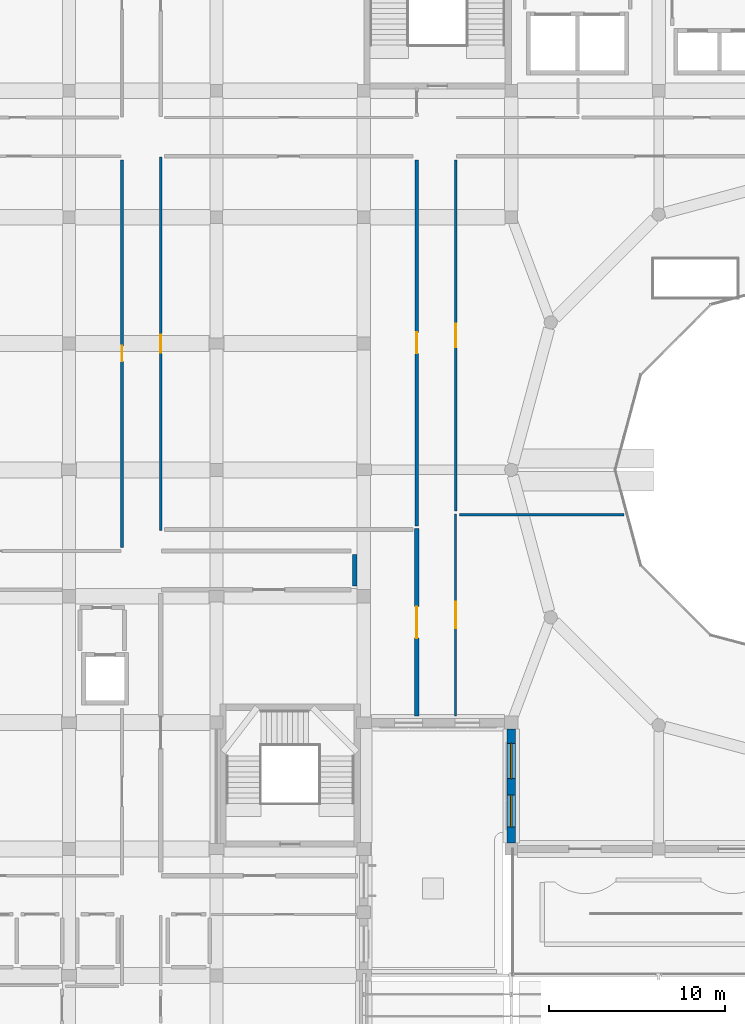
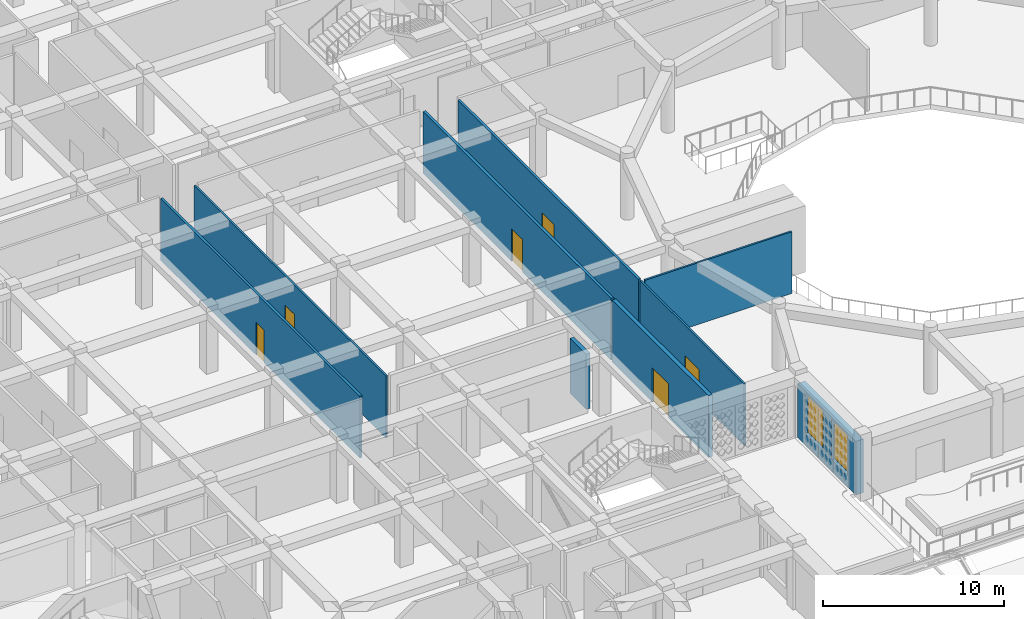
# One storey, part 57 of 100: 9 walls, 6 doors, 2 windows, 8 openings.
"""IFC4 building model written with IfcOpenShell, lengths in metres."""

import ifcopenshell
import ifcopenshell.guid

model = None  # the IFC model being written
_history = None  # IfcOwnerHistory: only IFC2X3 demands one
_inside = {}  # id of a spatial element -> (the spatial element, [elements in it])
_under = {}  # id of a project, library or spatial element -> (it, [spatial elements below it])
_declared = {}  # id of a project -> (the project, [libraries it declares])
_typed = {}  # id of a type object -> (the type object, [elements of that type])
_made_of = {}  # id of a material, layer set ... -> (it, [elements and type objects made of it])


def new_model(schema):
    """Start an empty IFC model of exactly this schema.

    Asked for "IFC4X3", IfcOpenShell would pick the latest addendum, in which some entities
    have other attributes; the version numbers below select the first issue.
    IFC2X3 requires an IfcOwnerHistory on every rooted entity: one is made here for all.
    """
    global model, _history
    if schema == "IFC4X3":
        model = ifcopenshell.file(schema_version=(4, 3, 0, 0))
    else:
        model = ifcopenshell.file(schema=schema)
    _inside.clear()
    _under.clear()
    _declared.clear()
    _typed.clear()
    _made_of.clear()
    _history = None
    if model.schema == "IFC2X3":
        org = make("IfcOrganization", Name="unknown")
        user = make(
            "IfcPersonAndOrganization",
            ThePerson=make("IfcPerson", FamilyName="unknown"),
            TheOrganization=org,
        )
        app = make(
            "IfcApplication",
            ApplicationDeveloper=org,
            Version="unknown",
            ApplicationFullName="unknown",
            ApplicationIdentifier="unknown",
        )
        _history = make(
            "IfcOwnerHistory",
            OwningUser=user,
            OwningApplication=app,
            ChangeAction="ADDED",
            CreationDate=0,
        )
    return model


def make(cls, **values):
    """One entity of the class cls with the attributes given. An attribute that is None is left unset."""
    return model.create_entity(
        cls, **{name: value for name, value in values.items() if value is not None}
    )


def rooted(cls, **values):
    """An entity with a GlobalId (a new one), such as an element, a storey or a relation."""
    return make(cls, GlobalId=ifcopenshell.guid.new(), OwnerHistory=_history, **values)


def si_unit(unit_type, name, prefix=None):
    """IfcSIUnit, for example si_unit("LENGTHUNIT", "METRE", prefix="MILLI")."""
    return make("IfcSIUnit", UnitType=unit_type, Prefix=prefix, Name=name)


def derived_unit(unit_type, elements):
    """IfcDerivedUnit: a product of units, each with its exponent."""
    return make(
        "IfcDerivedUnit",
        Elements=[
            make("IfcDerivedUnitElement", Unit=unit, Exponent=power)
            for unit, power in elements
        ],
        UnitType=unit_type,
    )


def assignment(units):
    """IfcUnitAssignment: the units of a project."""
    return None if units is None else make("IfcUnitAssignment", Units=units)


def point(xyz):
    """IfcCartesianPoint."""
    return None if xyz is None else make("IfcCartesianPoint", Coordinates=xyz)


def direction(xyz):
    """IfcDirection."""
    return None if xyz is None else make("IfcDirection", DirectionRatios=xyz)


def frame(location, z_axis=None, x_axis=None):
    """IfcAxis2Placement3D, a coordinate frame: its origin and axes. An axis left out is left unset."""
    return make(
        "IfcAxis2Placement3D",
        Location=point(location),
        Axis=direction(z_axis),
        RefDirection=direction(x_axis),
    )


def frame_2d(location, x_axis=None):
    """IfcAxis2Placement2D, a coordinate frame in the plane: its origin and x axis."""
    return make(
        "IfcAxis2Placement2D", Location=point(location), RefDirection=direction(x_axis)
    )


def origin():
    """The frame at (0, 0, 0) with its axes left unset."""
    return frame((0.0, 0.0, 0.0))


def place(relative_to, where):
    """IfcLocalPlacement: puts the frame where relative to a parent placement (None: the world)."""
    return make(
        "IfcLocalPlacement", PlacementRelTo=relative_to, RelativePlacement=where
    )


def context(
    kind, dimensions, precision=None, world=None, true_north=None, identifier=None
):
    """IfcGeometricRepresentationContext, for example the 3D "Model" context."""
    return make(
        "IfcGeometricRepresentationContext",
        ContextIdentifier=identifier,
        ContextType=kind,
        CoordinateSpaceDimension=dimensions,
        Precision=precision,
        WorldCoordinateSystem=world,
        TrueNorth=true_north,
    )


def subcontext(parent, identifier, kind, view, scale=None):
    """IfcGeometricRepresentationSubContext, for example "Body" below "Model"."""
    return make(
        "IfcGeometricRepresentationSubContext",
        ContextIdentifier=identifier,
        ContextType=kind,
        ParentContext=parent,
        TargetScale=scale,
        TargetView=view,
    )


def project(units=None, contexts=None):
    """IfcProject with its units and contexts."""
    return rooted(
        "IfcProject",
        Name="project",
        RepresentationContexts=contexts,
        UnitsInContext=assignment(units),
    )


def spatial(cls, under=None, at=None, **own):
    """A site, building, storey or space (cls), placed at a placement, below another one or the project."""
    s = rooted(cls, ObjectPlacement=at, **own)
    if under is not None:
        _under.setdefault(under.id(), (under, []))[1].append(s)
    return s


def profile(cls, at=None, kind="AREA", **sizes):
    """A parametric profile (cls). Its sizes go by their IFC names, for example OverallWidth=200.0."""
    return make(cls, ProfileType=kind, Position=at, **sizes)


def rectangle(**sizes):
    """IfcRectangleProfileDef."""
    return profile("IfcRectangleProfileDef", **sizes)


def extrude(swept, where, along, depth):
    """IfcExtrudedAreaSolid: the profile swept, set in the frame where, extruded along a direction by depth."""
    return make(
        "IfcExtrudedAreaSolid",
        SweptArea=swept,
        Position=where,
        ExtrudedDirection=direction(along),
        Depth=depth,
    )


def shape(context_of_items, identifier, shape_type, items):
    """IfcShapeRepresentation: the items that make up one representation, for example the "Body"."""
    return make(
        "IfcShapeRepresentation",
        ContextOfItems=context_of_items,
        RepresentationIdentifier=identifier,
        RepresentationType=shape_type,
        Items=items,
    )


def material(Name=None, Category=None):
    """IfcMaterial."""
    return make("IfcMaterial", Name=Name, Category=Category)


def layer(
    of_material, thickness, ventilated=None, Name=None, Category=None, Priority=None
):
    """IfcMaterialLayer: one layer of a wall or slab, of a material (None: an air gap)."""
    return make(
        "IfcMaterialLayer",
        Material=of_material,
        LayerThickness=thickness,
        IsVentilated=ventilated,
        Name=Name,
        Category=Category,
        Priority=Priority,
    )


def layer_set(layers, Name=None):
    """IfcMaterialLayerSet."""
    return make("IfcMaterialLayerSet", MaterialLayers=layers, LayerSetName=Name)


def made_of(thing, what):
    """Note that an element or type object is made of a material, layer set ...; save() writes the relation."""
    if what is not None:
        _made_of.setdefault(what.id(), (what, []))[1].append(thing)
    return thing


def type_object(cls, material=None, **own):
    """A type object (cls), such as IfcWallType, which elements share."""
    return made_of(rooted(cls, **own), material)


def element(
    cls,
    number,
    at=None,
    inside=None,
    cuts=None,
    type_object=None,
    material=None,
    context=None,
    identifier="Body",
    shape_type=None,
    held_by="IfcProductDefinitionShape",
    body=None,
    shapes=None,
    **own,
):
    """One element of the class cls, such as IfcWall. Its Tag is "e" and its number.

    at: its placement. inside: the storey or other place that contains it. cuts: it is an
    opening in that element (IfcRelVoidsElement). A single representation is given by context,
    identifier, shape_type and body (its items); several are given by shapes. held_by: the class
    of the entity that holds the representations. save() writes the other relations.
    """
    e = rooted(cls, Tag="e%d" % number, ObjectPlacement=at, **own)
    if body is not None:
        shapes = [shape(context, identifier, shape_type, body)]
    if shapes is not None:
        e.Representation = make(held_by, Representations=shapes)
    if inside is not None:
        _inside.setdefault(inside.id(), (inside, []))[1].append(e)
    if cuts is not None:
        rooted(
            "IfcRelVoidsElement", RelatingBuildingElement=cuts, RelatedOpeningElement=e
        )
    if type_object is not None:
        _typed.setdefault(type_object.id(), (type_object, []))[1].append(e)
    return made_of(e, material)


def fill(opening, filler):
    """IfcRelFillsElement: the door or window that sits in an opening."""
    return rooted(
        "IfcRelFillsElement",
        RelatingOpeningElement=opening,
        RelatedBuildingElement=filler,
    )


def aggregate(whole, parts):
    """IfcRelAggregates: a whole, such as a stair, and the parts it consists of."""
    return rooted("IfcRelAggregates", RelatingObject=whole, RelatedObjects=parts)


def save(model, path):
    """Write the relations noted so far, then the file.

    IfcRelAggregates (storeys below a building ...), IfcRelContainedInSpatialStructure (elements
    in a storey), IfcRelDefinesByType, IfcRelAssociatesMaterial and IfcRelDeclares: one each for
    every whole, place, type object, material and project.
    """
    for whole, parts in _under.values():
        aggregate(whole, parts)
    for where, things in _inside.values():
        rooted(
            "IfcRelContainedInSpatialStructure",
            RelatedElements=things,
            RelatingStructure=where,
        )
    for kind, things in _typed.values():
        rooted("IfcRelDefinesByType", RelatedObjects=things, RelatingType=kind)
    for what, things in _made_of.values():
        rooted("IfcRelAssociatesMaterial", RelatedObjects=things, RelatingMaterial=what)
    for by, libraries in _declared.values():
        rooted("IfcRelDeclares", RelatingContext=by, RelatedDefinitions=libraries)
    model.write(path)


model = new_model("IFC4")

# Units and contexts
model_context = context("Model", 3, precision=1e-05, world=origin(), true_north=direction((0.0, 1.0)))
body_context = subcontext(model_context, "Body", "Model", "MODEL_VIEW")
ifc_project = project(units=[si_unit("LENGTHUNIT", "METRE"), si_unit("AREAUNIT", "SQUARE_METRE"), si_unit("VOLUMEUNIT", "CUBIC_METRE"), si_unit("PLANEANGLEUNIT", "RADIAN"), si_unit("MASSUNIT", "GRAM", prefix="KILO"), derived_unit("THERMALTRANSMITTANCEUNIT", [(si_unit("POWERUNIT", "WATT"), 1), (si_unit("LENGTHUNIT", "METRE"), -2), (si_unit("THERMODYNAMICTEMPERATUREUNIT", "KELVIN"), -1)])], contexts=[model_context])

# Site, building, storey
site_placement = place(None, origin())
site = spatial("IfcSite", under=ifc_project, at=site_placement, CompositionType="ELEMENT")
building_placement = place(site_placement, origin())
building = spatial("IfcBuilding", under=site, at=building_placement, Name="Veybourne Emporium", CompositionType="ELEMENT")
storey_placement = place(building_placement, frame((0.0, 0.0, 14.39990234375)))
storey = spatial("IfcBuildingStorey", under=building, at=storey_placement, Name="L03", CompositionType="ELEMENT", Elevation=14.39990234375)

# Wall, openings, windows
ifc_material_1 = material(Name="Portland Limestone Ashlar", Category="masonry")
ifc_layer_1 = layer(ifc_material_1, 0.47998046875)
ifc_layer_set_1 = layer_set([ifc_layer_1], Name="Portland Limestone Ashlar")
wall_type_1 = type_object("IfcWallType", Name="ExtWall_EW-01", PredefinedType="SOLIDWALL", material=ifc_layer_set_1)
wall_1_placement = place(storey_placement, frame((58.800048828125, 29.14990234375, 0.0), z_axis=(0.0, 0.0, 1.0), x_axis=(0.0, 1.0, 0.0)))
wall_1 = element("IfcWall", 1, at=wall_1_placement, inside=storey, type_object=wall_type_1, Name="L03 Portland stone external wall 035", PredefinedType="SOLIDWALL", context=body_context, shape_type="SweptSolid", body=[
    extrude(rectangle(XDim=6.47509765625, YDim=0.47998046875, at=frame_2d((3.237548828125, 0.0))), origin(), (0.0, 0.0, 1.0), 3.630126953125),
])
opening_1_placement = place(wall_1_placement, frame((0.9130859375, 0.0, 0.75)))
opening_1 = element("IfcOpeningElement", 2, at=opening_1_placement, cuts=wall_1, Name="Opening W-44", PredefinedType="OPENING", context=body_context, shape_type="SweptSolid", body=[
    extrude(rectangle(XDim=1.800048828125, YDim=2.72998046875, at=frame_2d((0.89990234375, 1.364990234375))), frame((0.0, 0.260009765625, 0.0), z_axis=(0.0, -1.0, 0.0), x_axis=(1.0, 0.0, 0.0)), (0.0, 0.0, 1.0), 0.52001953125),
])
opening_2_placement = place(wall_1_placement, frame((3.662109375, 0.0, 0.75)))
opening_2 = element("IfcOpeningElement", 3, at=opening_2_placement, cuts=wall_1, Name="Opening W-45", PredefinedType="OPENING", context=body_context, shape_type="SweptSolid", body=[
    extrude(rectangle(XDim=2.0, YDim=2.72998046875, at=frame_2d((1.0, 1.364990234375))), frame((0.0, 0.260009765625, 0.0), z_axis=(0.0, -1.0, 0.0), x_axis=(1.0, 0.0, 0.0)), (0.0, 0.0, 1.0), 0.52001953125),
])
ifc_material_2 = material(Name="Low-E Triple Glazing", Category="glass")
window_type_1 = type_object("IfcWindowType", Name="Win_W-44", PartitioningType="DOUBLE_PANEL_VERTICAL", PredefinedType="WINDOW", material=ifc_material_2)
window_1_placement = place(opening_1_placement, origin())
window_1 = element("IfcWindow", 4, at=window_1_placement, inside=storey, type_object=window_type_1, Name="L03 tripartite bronze casement window W-44 (35.1)", OverallHeight=2.72998046875, OverallWidth=1.800048828125, PartitioningType="DOUBLE_PANEL_VERTICAL", PredefinedType="WINDOW", context=body_context, shape_type="SweptSolid", body=[
    extrude(rectangle(XDim=1.800048828125, YDim=2.72998046875, at=frame_2d((0.89990234375, 1.364990234375))), frame((0.0, 0.030029296875, 0.0), z_axis=(0.0, -1.0, 0.0), x_axis=(1.0, 0.0, 0.0)), (0.0, 0.0, 1.0), 0.06005859375),
])
fill(opening_1, window_1)
window_type_2 = type_object("IfcWindowType", Name="Win_W-45", PartitioningType="TRIPLE_PANEL_VERTICAL", PredefinedType="WINDOW", material=ifc_material_2)
window_2_placement = place(opening_2_placement, origin())
window_2 = element("IfcWindow", 5, at=window_2_placement, inside=storey, type_object=window_type_2, Name="L03 tripartite bronze casement window W-45 (35.2)", OverallHeight=2.72998046875, OverallWidth=2.0, PartitioningType="TRIPLE_PANEL_VERTICAL", PredefinedType="WINDOW", context=body_context, shape_type="SweptSolid", body=[
    extrude(rectangle(XDim=2.0, YDim=2.72998046875, at=frame_2d((1.0, 1.364990234375))), frame((0.0, 0.030029296875, 0.0), z_axis=(0.0, -1.0, 0.0), x_axis=(1.0, 0.0, 0.0)), (0.0, 0.0, 1.0), 0.06005859375),
])
fill(opening_2, window_2)

# Wall, opening, door
ifc_material_3 = material(Name="Concrete C32/40", Category="concrete")
ifc_layer_2 = layer(ifc_material_3, 0.25)
ifc_layer_set_2 = layer_set([ifc_layer_2], Name="Concrete C32/40")
wall_type_2 = type_object("IfcWallType", Name="IntWall_FW-01", PredefinedType="SOLIDWALL", material=ifc_layer_set_2)
wall_2_placement = place(storey_placement, frame((53.419921875, 36.3701171875, 0.0), z_axis=(0.0, 0.0, 1.0), x_axis=(0.0, 1.0, 0.0)))
wall_2 = element("IfcWall", 6, at=wall_2_placement, inside=storey, type_object=wall_type_2, Name="L03 interior partition FW-01 #053", PredefinedType="SOLIDWALL", context=body_context, shape_type="SweptSolid", body=[
    extrude(rectangle(XDim=10.684814453125, YDim=0.25, at=frame_2d((5.34228515625, 0.0))), origin(), (0.0, 0.0, 1.0), 4.18017578125),
])
opening_3_placement = place(wall_2_placement, frame((4.4423828125, 0.0, 0.0)))
opening_3 = element("IfcOpeningElement", 7, at=opening_3_placement, cuts=wall_2, Name="Opening FD-03", PredefinedType="OPENING", context=body_context, shape_type="SweptSolid", body=[
    extrude(rectangle(XDim=1.800048828125, YDim=2.300048828125, at=frame_2d((0.89990234375, 1.14990234375))), frame((0.0, 0.14501953125, 0.0), z_axis=(0.0, -1.0, 0.0), x_axis=(1.0, 0.0, 0.0)), (0.0, 0.0, 1.0), 0.2900390625),
])
ifc_material_4 = material(Name="Patinated Architectural Bronze", Category="bronze")
door_type_1 = type_object("IfcDoorType", Name="FireDoor_FD-03", OperationType="DOUBLE_DOOR_SINGLE_SWING", PredefinedType="DOOR", material=ifc_material_4)
door_1_placement = place(opening_3_placement, origin())
door_1 = element("IfcDoor", 8, at=door_1_placement, inside=storey, type_object=door_type_1, Name="L03 interior door FD-03 (PART-L03-053)", OperationType="DOUBLE_DOOR_SINGLE_SWING", OverallHeight=2.300048828125, OverallWidth=1.800048828125, PredefinedType="DOOR", context=body_context, shape_type="SweptSolid", body=[
    extrude(rectangle(XDim=1.800048828125, YDim=2.300048828125, at=frame_2d((0.89990234375, 1.14990234375))), frame((0.0, 0.02490234375, 0.0), z_axis=(0.0, -1.0, 0.0), x_axis=(1.0, 0.0, 0.0)), (0.0, 0.0, 1.0), 0.050048828125),
])
fill(opening_3, door_1)

# Wall
wall_3_placement = place(storey_placement, frame((49.8798828125, 43.780029296875, 0.0), z_axis=(0.0, 0.0, 1.0), x_axis=(0.0, 1.0, 0.0)))
element("IfcWall", 9, at=wall_3_placement, inside=storey, type_object=wall_type_2, Name="L03 interior partition FW-01 #112", PredefinedType="SOLIDWALL", context=body_context, shape_type="SweptSolid", body=[
    extrude(rectangle(XDim=1.7900390625, YDim=0.25, at=frame_2d((0.89501953125, 0.0))), origin(), (0.0, 0.0, 1.0), 3.72998046875),
])

# Wall, opening, door
ifc_material_5 = material(Name="Gypsum Acoustic Board", Category="gypsum")
ifc_layer_3 = layer(ifc_material_5, 0.179931640625)
ifc_layer_set_3 = layer_set([ifc_layer_3], Name="Gypsum Acoustic Board")
wall_type_3 = type_object("IfcWallType", Name="IntWall_IW-01", PredefinedType="PARTITIONING", material=ifc_layer_set_3)
wall_4_placement = place(storey_placement, frame((53.419921875, 47.215087890625, 0.0), z_axis=(0.0, 0.0, 1.0), x_axis=(0.0, 1.0, 0.0)))
wall_4 = element("IfcWall", 10, at=wall_4_placement, inside=storey, type_object=wall_type_3, Name="L03 interior partition IW-01 #005", PredefinedType="PARTITIONING", context=body_context, shape_type="SweptSolid", body=[
    extrude(rectangle(XDim=20.844970703125, YDim=0.179931640625, at=frame_2d((10.42236328125, 0.0))), origin(), (0.0, 0.0, 1.0), 4.18017578125),
])
opening_4_placement = place(wall_4_placement, frame((9.822509765625, 0.0, 0.0)))
opening_4 = element("IfcOpeningElement", 11, at=opening_4_placement, cuts=wall_4, Name="Opening D-15", PredefinedType="OPENING", context=body_context, shape_type="SweptSolid", body=[
    extrude(rectangle(XDim=1.199951171875, YDim=2.2099609375, at=frame_2d((0.60009765625, 1.10498046875))), frame((0.0, 0.10986328125, 0.0), z_axis=(0.0, -1.0, 0.0), x_axis=(1.0, 0.0, 0.0)), (0.0, 0.0, 1.0), 0.219970703125),
])
ifc_material_6 = material(Name="European Oak Veneer and Bronze", Category="wood")
door_type_2 = type_object("IfcDoorType", Name="IntDoor_D-15", OperationType="NOTDEFINED", PredefinedType="DOOR", material=ifc_material_6)
door_2_placement = place(opening_4_placement, origin())
door_2 = element("IfcDoor", 12, at=door_2_placement, inside=storey, type_object=door_type_2, Name="L03 interior door D-15 (PART-L03-005)", OperationType="SINGLE_SWING_LEFT", OverallHeight=2.2099609375, OverallWidth=1.199951171875, PredefinedType="DOOR", context=body_context, shape_type="SweptSolid", body=[
    extrude(rectangle(XDim=1.199951171875, YDim=2.2099609375, at=frame_2d((0.60009765625, 1.10498046875))), frame((0.0, 0.02490234375, 0.0), z_axis=(0.0, -1.0, 0.0), x_axis=(1.0, 0.0, 0.0)), (0.0, 0.0, 1.0), 0.050048828125),
])
fill(opening_4, door_2)

ifc_layer_4 = layer(ifc_material_5, 0.14990234375)
ifc_layer_set_4 = layer_set([ifc_layer_4], Name="Gypsum Acoustic Board")
wall_type_4 = type_object("IfcWallType", Name="IntWall_IW-02", PredefinedType="PARTITIONING", material=ifc_layer_set_4)
wall_5_placement = place(storey_placement, frame((36.6201171875, 45.989990234375, 0.0), z_axis=(0.0, 0.0, 1.0), x_axis=(0.0, 1.0, 0.0)))
wall_5 = element("IfcWall", 13, at=wall_5_placement, inside=storey, type_object=wall_type_4, Name="L03 interior partition IW-02 #003", PredefinedType="PARTITIONING", context=body_context, shape_type="SweptSolid", body=[
    extrude(rectangle(XDim=22.070068359375, YDim=0.14990234375, at=frame_2d((11.03515625, 0.0))), origin(), (0.0, 0.0, 1.0), 4.18017578125),
])
opening_5_placement = place(wall_5_placement, frame((10.594970703125, 0.0, 0.0)))
opening_5 = element("IfcOpeningElement", 14, at=opening_5_placement, cuts=wall_5, Name="Opening D-13", PredefinedType="OPENING", context=body_context, shape_type="SweptSolid", body=[
    extrude(rectangle(XDim=0.8798828125, YDim=2.2099609375, at=frame_2d((0.43994140625, 1.10498046875))), frame((0.0, 0.094970703125, 0.0), z_axis=(0.0, -1.0, 0.0), x_axis=(1.0, 0.0, 0.0)), (0.0, 0.0, 1.0), 0.18994140625),
])
door_type_3 = type_object("IfcDoorType", Name="IntDoor_D-13", OperationType="NOTDEFINED", PredefinedType="DOOR", material=ifc_material_6)
door_3_placement = place(opening_5_placement, origin())
door_3 = element("IfcDoor", 15, at=door_3_placement, inside=storey, type_object=door_type_3, Name="L03 interior door D-13 (PART-L03-003)", OperationType="SINGLE_SWING_LEFT", OverallHeight=2.2099609375, OverallWidth=0.8798828125, PredefinedType="DOOR", context=body_context, shape_type="SweptSolid", body=[
    extrude(rectangle(XDim=0.8798828125, YDim=2.2099609375, at=frame_2d((0.43994140625, 1.10498046875))), frame((0.0, 0.02490234375, 0.0), z_axis=(0.0, -1.0, 0.0), x_axis=(1.0, 0.0, 0.0)), (0.0, 0.0, 1.0), 0.050048828125),
])
fill(opening_5, door_3)

wall_6_placement = place(storey_placement, frame((55.6298828125, 48.054931640625, 0.0), z_axis=(0.0, 0.0, 1.0), x_axis=(0.0, 1.0, 0.0)))
wall_6 = element("IfcWall", 16, at=wall_6_placement, inside=storey, type_object=wall_type_4, Name="L03 interior partition IW-02 #006", PredefinedType="PARTITIONING", context=body_context, shape_type="SweptSolid", body=[
    extrude(rectangle(XDim=20.005126953125, YDim=0.14990234375, at=frame_2d((10.00244140625, 0.0))), origin(), (0.0, 0.0, 1.0), 4.18017578125),
])
opening_6_placement = place(wall_6_placement, frame((9.322509765625, 0.0, 0.0)))
opening_6 = element("IfcOpeningElement", 17, at=opening_6_placement, cuts=wall_6, Name="Opening D-16", PredefinedType="OPENING", context=body_context, shape_type="SweptSolid", body=[
    extrude(rectangle(XDim=1.360107421875, YDim=2.2099609375, at=frame_2d((0.68017578125, 1.10498046875))), frame((0.0, 0.094970703125, 0.0), z_axis=(0.0, -1.0, 0.0), x_axis=(1.0, 0.0, 0.0)), (0.0, 0.0, 1.0), 0.18994140625),
])
door_type_4 = type_object("IfcDoorType", Name="IntDoor_D-16", OperationType="NOTDEFINED", PredefinedType="DOOR", material=ifc_material_6)
door_4_placement = place(opening_6_placement, origin())
door_4 = element("IfcDoor", 18, at=door_4_placement, inside=storey, type_object=door_type_4, Name="L03 interior door D-16 (PART-L03-006)", OperationType="SINGLE_SWING_RIGHT", OverallHeight=2.2099609375, OverallWidth=1.360107421875, PredefinedType="DOOR", context=body_context, shape_type="SweptSolid", body=[
    extrude(rectangle(XDim=1.360107421875, YDim=2.2099609375, at=frame_2d((0.68017578125, 1.10498046875))), frame((0.0, 0.02490234375, 0.0), z_axis=(0.0, -1.0, 0.0), x_axis=(1.0, 0.0, 0.0)), (0.0, 0.0, 1.0), 0.050048828125),
])
fill(opening_6, door_4)

ifc_layer_5 = layer(ifc_material_5, 0.1201171875)
ifc_layer_set_5 = layer_set([ifc_layer_5], Name="Gypsum Acoustic Board")
wall_type_5 = type_object("IfcWallType", Name="IntWall_IW-03", PredefinedType="PARTITIONING", material=ifc_layer_set_5)
wall_7_placement = place(storey_placement, frame((38.830078125, 46.955078125, 0.0), z_axis=(0.0, 0.0, 1.0), x_axis=(0.0, 1.0, 0.0)))
wall_7 = element("IfcWall", 19, at=wall_7_placement, inside=storey, type_object=wall_type_5, Name="L03 interior partition IW-03 #004", PredefinedType="PARTITIONING", context=body_context, shape_type="SweptSolid", body=[
    extrude(rectangle(XDim=21.264892578125, YDim=0.1201171875, at=frame_2d((10.63232421875, 0.0))), origin(), (0.0, 0.0, 1.0), 4.18017578125),
])
opening_7_placement = place(wall_7_placement, frame((10.112548828125, 0.0, 0.0)))
opening_7 = element("IfcOpeningElement", 20, at=opening_7_placement, cuts=wall_7, Name="Opening D-14", PredefinedType="OPENING", context=body_context, shape_type="SweptSolid", body=[
    extrude(rectangle(XDim=1.0400390625, YDim=2.2099609375, at=frame_2d((0.52001953125, 1.10498046875))), frame((0.0, 0.080078125, 0.0), z_axis=(0.0, -1.0, 0.0), x_axis=(1.0, 0.0, 0.0)), (0.0, 0.0, 1.0), 0.16015625),
])
door_type_5 = type_object("IfcDoorType", Name="IntDoor_D-14", OperationType="NOTDEFINED", PredefinedType="DOOR", material=ifc_material_6)
door_5_placement = place(opening_7_placement, origin())
door_5 = element("IfcDoor", 21, at=door_5_placement, inside=storey, type_object=door_type_5, Name="L03 interior door D-14 (PART-L03-004)", OperationType="SINGLE_SWING_RIGHT", OverallHeight=2.2099609375, OverallWidth=1.0400390625, PredefinedType="DOOR", context=body_context, shape_type="SweptSolid", body=[
    extrude(rectangle(XDim=1.0400390625, YDim=2.2099609375, at=frame_2d((0.52001953125, 1.10498046875))), frame((0.0, 0.02490234375, 0.0), z_axis=(0.0, -1.0, 0.0), x_axis=(1.0, 0.0, 0.0)), (0.0, 0.0, 1.0), 0.050048828125),
])
fill(opening_7, door_5)

wall_8_placement = place(storey_placement, frame((55.6298828125, 36.3701171875, 0.0), z_axis=(0.0, 0.0, 1.0), x_axis=(0.0, 1.0, 0.0)))
wall_8 = element("IfcWall", 22, at=wall_8_placement, inside=storey, type_object=wall_type_5, Name="L03 interior partition IW-03 #037", PredefinedType="PARTITIONING", context=body_context, shape_type="SweptSolid", body=[
    extrude(rectangle(XDim=11.52490234375, YDim=0.1201171875, at=frame_2d((5.762451171875, 0.0))), origin(), (0.0, 0.0, 1.0), 4.18017578125),
])
opening_8_placement = place(wall_8_placement, frame((5.00244140625, 0.0, 0.0)))
opening_8 = element("IfcOpeningElement", 23, at=opening_8_placement, cuts=wall_8, Name="Opening D-11", PredefinedType="OPENING", context=body_context, shape_type="SweptSolid", body=[
    extrude(rectangle(XDim=1.52001953125, YDim=2.1298828125, at=frame_2d((0.760009765625, 1.06494140625))), frame((0.0, 0.080078125, 0.0), z_axis=(0.0, -1.0, 0.0), x_axis=(1.0, 0.0, 0.0)), (0.0, 0.0, 1.0), 0.16015625),
])
door_type_6 = type_object("IfcDoorType", Name="IntDoor_D-11", OperationType="NOTDEFINED", PredefinedType="DOOR", material=ifc_material_6)
door_6_placement = place(opening_8_placement, origin())
door_6 = element("IfcDoor", 24, at=door_6_placement, inside=storey, type_object=door_type_6, Name="L03 interior door D-11 (PART-L03-037)", OperationType="SINGLE_SWING_LEFT", OverallHeight=2.1298828125, OverallWidth=1.52001953125, PredefinedType="DOOR", context=body_context, shape_type="SweptSolid", body=[
    extrude(rectangle(XDim=1.52001953125, YDim=2.1298828125, at=frame_2d((0.760009765625, 1.06494140625))), frame((0.0, 0.02490234375, 0.0), z_axis=(0.0, -1.0, 0.0), x_axis=(1.0, 0.0, 0.0)), (0.0, 0.0, 1.0), 0.050048828125),
])
fill(opening_8, door_6)

# Wall
wall_9_placement = place(storey_placement, frame((55.840087890625, 47.844970703125, 0.0), z_axis=(0.0, 0.0, 1.0), x_axis=(1.0, 0.0, 0.0)))
element("IfcWall", 25, at=wall_9_placement, inside=storey, type_object=wall_type_5, Name="L03 interior partition IW-03 #133", PredefinedType="PARTITIONING", context=body_context, shape_type="SweptSolid", body=[
    extrude(rectangle(XDim=9.380859375, YDim=0.1201171875, at=frame_2d((4.6904296875, 0.0))), origin(), (0.0, 0.0, 1.0), 4.18017578125),
])

save(model, "model.ifc")
